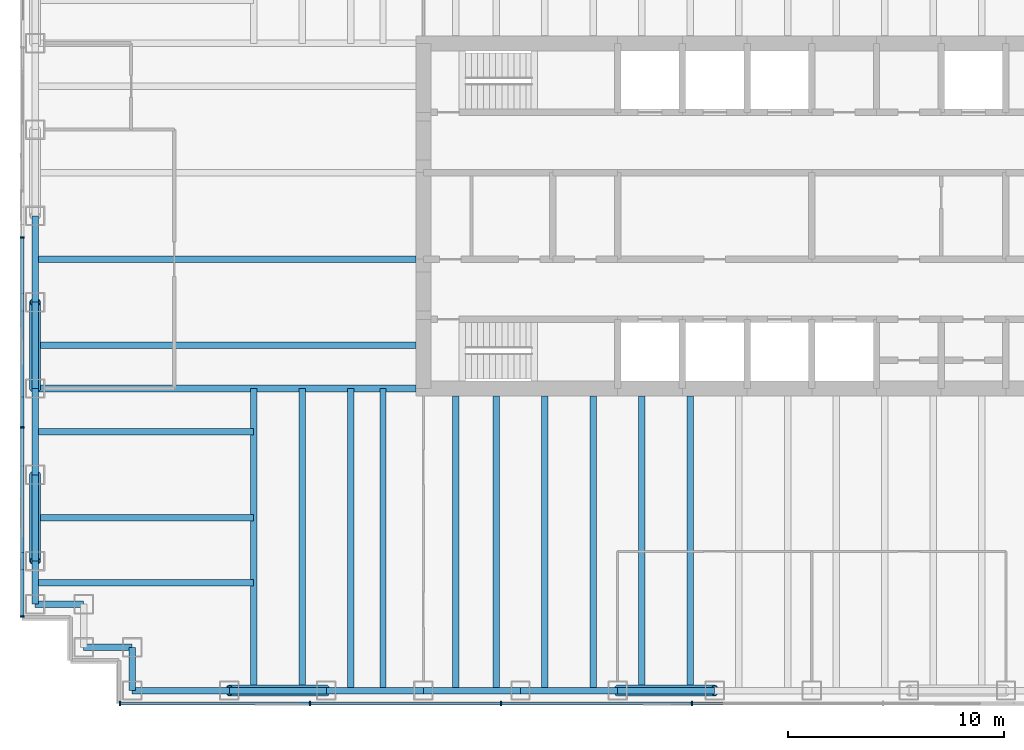
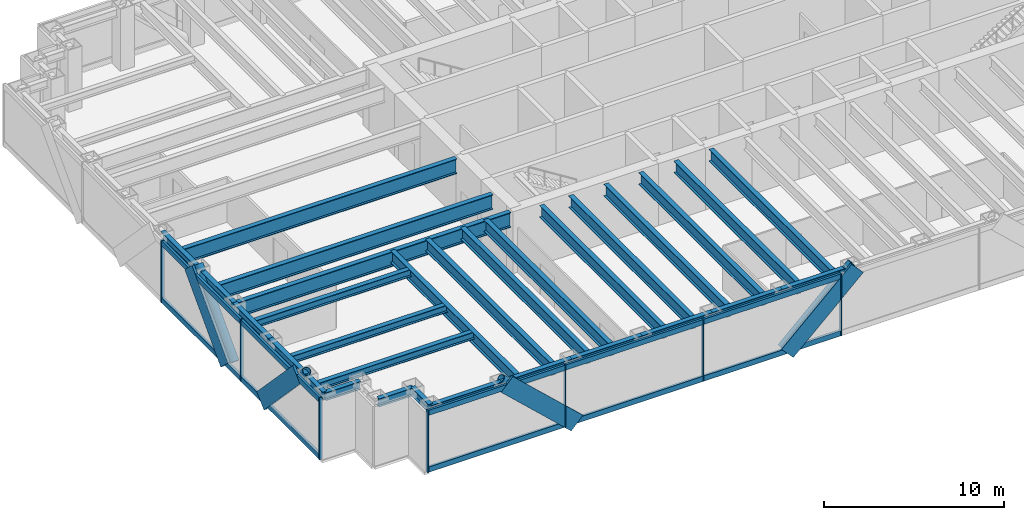
# One storey, part 2 of 15: 30 beams, 25 members, 2 elements without a shape of their own.
"""IFC4 building model written with IfcOpenShell, lengths in metres."""

from ifc_helpers import new_model, si_unit, direction, frame, origin, origin_2d, place, context, subcontext, project, spatial, rectangle, hollow_circle, i_section, extrude, material, material_profile, profile_set, type_object, element, aggregate, save


model = new_model("IFC4")

# Units and contexts
model_context = context("Model", 3, precision=1e-05, world=origin(), true_north=direction((0.0, 1.0)))
body_context = subcontext(model_context, "Body", "Model", "MODEL_VIEW")
ifc_project = project(units=[si_unit("LENGTHUNIT", "METRE"), si_unit("AREAUNIT", "SQUARE_METRE"), si_unit("VOLUMEUNIT", "CUBIC_METRE"), si_unit("PLANEANGLEUNIT", "RADIAN"), si_unit("MASSUNIT", "GRAM", prefix="KILO")], contexts=[model_context])

# Site, building, storey
site_placement = place(None, origin())
site = spatial("IfcSite", under=ifc_project, at=site_placement, CompositionType="ELEMENT")
building_placement = place(site_placement, origin())
building = spatial("IfcBuilding", under=site, at=building_placement, Name="Rheinbord Bourse Tower", CompositionType="ELEMENT")
storey_placement = place(building_placement, frame((0.0, 0.0, 325.699951171875)))
storey = spatial("IfcBuildingStorey", under=building, at=storey_placement, Name="L74", CompositionType="ELEMENT", Elevation=325.699951171875)

# Curtain wall, members
ifc_material_1 = material(Name="Dark glass and black aluminium", Category="aluminium")
curtain_wall_type = type_object("IfcCurtainWallType", Name="CW3 DARK GLASS CURTAIN WALL", PredefinedType="USERDEFINED", material=ifc_material_1)
curtain_wall_1_placement = place(storey_placement, origin())
curtain_wall_1 = element("IfcCurtainWall", 1, at=curtain_wall_1_placement, inside=storey, type_object=curtain_wall_type, Name="Curtain wall CW3 S L74", ObjectType="UNITISED CURTAIN WALL", PredefinedType="USERDEFINED")
ifc_material_2 = material(Name="Black anodised aluminium", Category="aluminium")
ifc_material_profile_1 = material_profile(ifc_material_2, rectangle(XDim=0.14990234375, YDim=1.10791015625, at=origin_2d()), Name="CW3 DIAGONAL MULLION 1108x150")
ifc_profile_set_1 = profile_set([ifc_material_profile_1], Name="Black anodised aluminium")
member_type_1 = type_object("IfcMemberType", Name="CW3 BLACK DIAGONAL MULLION", PredefinedType="USERDEFINED", material=ifc_profile_set_1)
member_1_placement = place(storey_placement, frame((27.0, 1.39990234375, 0.0), z_axis=(0.73105922506, 0.0, 0.682314010889), x_axis=(0.0, 1.0, 0.0)))
member_1 = element("IfcMember", 2, at=member_1_placement, type_object=member_type_1, Name="CW3 diagonal mullion b", ObjectType="DIAGONAL MULLION", PredefinedType="USERDEFINED", context=body_context, shape_type="SweptSolid", body=[
    extrude(rectangle(XDim=0.14990234375, YDim=1.10791015625, at=origin_2d()), origin(), (0.0, 0.0, 1.0), 6.155517578125),
])
member_2_placement = place(storey_placement, frame((13.5, 1.39990234375, 0.0), z_axis=(-0.73105922506, 0.0, 0.682314010889), x_axis=(0.0, -1.0, 0.0)))
member_2 = element("IfcMember", 3, at=member_2_placement, type_object=member_type_1, Name="CW3 diagonal mullion c", ObjectType="DIAGONAL MULLION", PredefinedType="USERDEFINED", context=body_context, shape_type="SweptSolid", body=[
    extrude(rectangle(XDim=0.14990234375, YDim=1.10791015625, at=origin_2d()), origin(), (0.0, 0.0, 1.0), 6.155517578125),
])

curtain_wall_2_placement = place(storey_placement, origin())
curtain_wall_2 = element("IfcCurtainWall", 4, at=curtain_wall_2_placement, inside=storey, type_object=curtain_wall_type, Name="Curtain wall CW3 W L74", ObjectType="UNITISED CURTAIN WALL", PredefinedType="USERDEFINED")
member_3_placement = place(storey_placement, frame((-0.60009765625, 16.0, 0.0), z_axis=(0.0, 0.689659376744, 0.724133926887), x_axis=(-1.0, 0.0, 0.0)))
member_3 = element("IfcMember", 5, at=member_3_placement, type_object=member_type_1, Name="CW3 diagonal mullion a", ObjectType="DIAGONAL MULLION", PredefinedType="USERDEFINED", context=body_context, shape_type="SweptSolid", body=[
    extrude(rectangle(XDim=0.14990234375, YDim=1.10791015625, at=origin_2d()), origin(), (0.0, 0.0, 1.0), 5.800048828125),
])
member_4_placement = place(storey_placement, frame((-0.60009765625, 12.0, 0.0), z_axis=(0.0, -0.689659376744, 0.724133926887), x_axis=(1.0, 0.0, 0.0)))
member_4 = element("IfcMember", 6, at=member_4_placement, type_object=member_type_1, Name="CW3 diagonal mullion d", ObjectType="DIAGONAL MULLION", PredefinedType="USERDEFINED", context=body_context, shape_type="SweptSolid", body=[
    extrude(rectangle(XDim=0.14990234375, YDim=1.10791015625, at=origin_2d()), origin(), (0.0, 0.0, 1.0), 5.800048828125),
])

# Member
ifc_material_3 = material(Name="Black anodised aluminium", Category="aluminium")
ifc_material_profile_2 = material_profile(ifc_material_3, rectangle(XDim=0.199951171875, YDim=0.06494140625, at=origin_2d()), Name="CW3 MULLION 65x200")
ifc_profile_set_2 = profile_set([ifc_material_profile_2], Name="Black anodised aluminium")
member_type_2 = type_object("IfcMemberType", Name="CW3 BLACK MULLION", PredefinedType="MULLION", material=ifc_profile_set_2)
member_5_placement = place(storey_placement, frame((3.9326171875, 1.39990234375, 0.0), z_axis=(0.0, 0.0, 1.0), x_axis=(0.0, 1.0, 0.0)))
member_5 = element("IfcMember", 7, at=member_5_placement, type_object=member_type_2, Name="CW3 mullion 1", PredefinedType="MULLION", context=body_context, shape_type="SweptSolid", body=[
    extrude(rectangle(XDim=0.199951171875, YDim=0.06494140625, at=origin_2d()), origin(), (0.0, 0.0, 1.0), 4.199951171875),
])

member_6_placement = place(storey_placement, frame((12.75, 1.39990234375, 0.0), z_axis=(0.0, 0.0, 1.0), x_axis=(0.0, 1.0, 0.0)))
member_6 = element("IfcMember", 8, at=member_6_placement, type_object=member_type_2, Name="CW3 mullion 2", PredefinedType="MULLION", context=body_context, shape_type="SweptSolid", body=[
    extrude(rectangle(XDim=0.199951171875, YDim=0.06494140625, at=origin_2d()), origin(), (0.0, 0.0, 1.0), 4.199951171875),
])

member_7_placement = place(storey_placement, frame((21.60009765625, 1.39990234375, 0.0), z_axis=(0.0, 0.0, 1.0), x_axis=(0.0, 1.0, 0.0)))
member_7 = element("IfcMember", 9, at=member_7_placement, type_object=member_type_2, Name="CW3 mullion 3", PredefinedType="MULLION", context=body_context, shape_type="SweptSolid", body=[
    extrude(rectangle(XDim=0.199951171875, YDim=0.06494140625, at=origin_2d()), origin(), (0.0, 0.0, 1.0), 4.199951171875),
])

member_8_placement = place(storey_placement, frame((30.449951171875, 1.39990234375, 0.0), z_axis=(0.0, 0.0, 1.0), x_axis=(0.0, 1.0, 0.0)))
member_8 = element("IfcMember", 10, at=member_8_placement, type_object=member_type_2, Name="CW3 mullion 4", PredefinedType="MULLION", context=body_context, shape_type="SweptSolid", body=[
    extrude(rectangle(XDim=0.199951171875, YDim=0.06494140625, at=origin_2d()), origin(), (0.0, 0.0, 1.0), 4.199951171875),
])

member_9_placement = place(storey_placement, frame((-0.60009765625, 23.0, 0.0), z_axis=(0.0, 0.0, 1.0), x_axis=(1.0, 0.0, 0.0)))
member_9 = element("IfcMember", 11, at=member_9_placement, type_object=member_type_2, Name="CW3 mullion 3", PredefinedType="MULLION", context=body_context, shape_type="SweptSolid", body=[
    extrude(rectangle(XDim=0.199951171875, YDim=0.06494140625, at=origin_2d()), origin(), (0.0, 0.0, 1.0), 4.199951171875),
])

member_10_placement = place(storey_placement, frame((-0.60009765625, 14.199951171875, 0.0), z_axis=(0.0, 0.0, 1.0), x_axis=(1.0, 0.0, 0.0)))
member_10 = element("IfcMember", 12, at=member_10_placement, type_object=member_type_2, Name="CW3 mullion 4", PredefinedType="MULLION", context=body_context, shape_type="SweptSolid", body=[
    extrude(rectangle(XDim=0.199951171875, YDim=0.06494140625, at=origin_2d()), origin(), (0.0, 0.0, 1.0), 4.199951171875),
])

member_11_placement = place(storey_placement, frame((-0.60009765625, 5.4326171875, 0.0), z_axis=(0.0, 0.0, 1.0), x_axis=(1.0, 0.0, 0.0)))
member_11 = element("IfcMember", 13, at=member_11_placement, type_object=member_type_2, Name="CW3 mullion 5", PredefinedType="MULLION", context=body_context, shape_type="SweptSolid", body=[
    extrude(rectangle(XDim=0.199951171875, YDim=0.06494140625, at=origin_2d()), origin(), (0.0, 0.0, 1.0), 4.199951171875),
])

ifc_material_4 = material(Name="Black anodised aluminium", Category="aluminium")
ifc_material_profile_3 = material_profile(ifc_material_4, rectangle(XDim=0.14990234375, YDim=0.35009765625, at=origin_2d()), Name="CW3 TRANSOM 350x150")
ifc_profile_set_3 = profile_set([ifc_material_profile_3], Name="Black anodised aluminium")
member_type_3 = type_object("IfcMemberType", Name="CW3 BLACK TRANSOM", PredefinedType="USERDEFINED", material=ifc_profile_set_3)
member_12_placement = place(storey_placement, frame((3.965087890625, 1.39990234375, 0.175048828125), z_axis=(1.0, 0.0, 0.0), x_axis=(0.0, 1.0, 0.0)))
member_12 = element("IfcMember", 14, at=member_12_placement, type_object=member_type_3, Name="CW3 transom 1.1", ObjectType="TRANSOM", PredefinedType="USERDEFINED", context=body_context, shape_type="SweptSolid", body=[
    extrude(rectangle(XDim=0.14990234375, YDim=0.35009765625, at=origin_2d()), origin(), (0.0, 0.0, 1.0), 8.75244140625),
])

member_13_placement = place(storey_placement, frame((3.965087890625, 1.39990234375, 4.025146484375), z_axis=(1.0, 0.0, 0.0), x_axis=(0.0, 1.0, 0.0)))
member_13 = element("IfcMember", 15, at=member_13_placement, type_object=member_type_3, Name="CW3 transom 1.2", ObjectType="TRANSOM", PredefinedType="USERDEFINED", context=body_context, shape_type="SweptSolid", body=[
    extrude(rectangle(XDim=0.14990234375, YDim=0.35009765625, at=origin_2d()), origin(), (0.0, 0.0, 1.0), 8.75244140625),
])

member_14_placement = place(storey_placement, frame((12.782470703125, 1.39990234375, 0.175048828125), z_axis=(1.0, 0.0, 0.0), x_axis=(0.0, 1.0, 0.0)))
member_14 = element("IfcMember", 16, at=member_14_placement, type_object=member_type_3, Name="CW3 transom 2.1", ObjectType="TRANSOM", PredefinedType="USERDEFINED", context=body_context, shape_type="SweptSolid", body=[
    extrude(rectangle(XDim=0.14990234375, YDim=0.35009765625, at=origin_2d()), origin(), (0.0, 0.0, 1.0), 8.784912109375),
])

member_15_placement = place(storey_placement, frame((12.782470703125, 1.39990234375, 4.025146484375), z_axis=(1.0, 0.0, 0.0), x_axis=(0.0, 1.0, 0.0)))
member_15 = element("IfcMember", 17, at=member_15_placement, type_object=member_type_3, Name="CW3 transom 2.2", ObjectType="TRANSOM", PredefinedType="USERDEFINED", context=body_context, shape_type="SweptSolid", body=[
    extrude(rectangle(XDim=0.14990234375, YDim=0.35009765625, at=origin_2d()), origin(), (0.0, 0.0, 1.0), 8.784912109375),
])

member_16_placement = place(storey_placement, frame((21.632568359375, 1.39990234375, 0.175048828125), z_axis=(1.0, 0.0, 0.0), x_axis=(0.0, 1.0, 0.0)))
member_16 = element("IfcMember", 18, at=member_16_placement, type_object=member_type_3, Name="CW3 transom 3.1", ObjectType="TRANSOM", PredefinedType="USERDEFINED", context=body_context, shape_type="SweptSolid", body=[
    extrude(rectangle(XDim=0.14990234375, YDim=0.35009765625, at=origin_2d()), origin(), (0.0, 0.0, 1.0), 8.784912109375),
])

member_17_placement = place(storey_placement, frame((21.632568359375, 1.39990234375, 4.025146484375), z_axis=(1.0, 0.0, 0.0), x_axis=(0.0, 1.0, 0.0)))
member_17 = element("IfcMember", 19, at=member_17_placement, type_object=member_type_3, Name="CW3 transom 3.2", ObjectType="TRANSOM", PredefinedType="USERDEFINED", context=body_context, shape_type="SweptSolid", body=[
    extrude(rectangle(XDim=0.14990234375, YDim=0.35009765625, at=origin_2d()), origin(), (0.0, 0.0, 1.0), 8.784912109375),
])

aggregate(curtain_wall_1, [member_5, member_6, member_7, member_8, member_12, member_13, member_14, member_15, member_16, member_17, member_1, member_2])

member_18_placement = place(storey_placement, frame((-0.60009765625, 22.967529296875, 0.175048828125), z_axis=(0.0, -1.0, 0.0), x_axis=(1.0, 0.0, 0.0)))
member_18 = element("IfcMember", 20, at=member_18_placement, type_object=member_type_3, Name="CW3 transom 3.1", ObjectType="TRANSOM", PredefinedType="USERDEFINED", context=body_context, shape_type="SweptSolid", body=[
    extrude(rectangle(XDim=0.14990234375, YDim=0.35009765625, at=origin_2d()), origin(), (0.0, 0.0, 1.0), 8.735107421875),
])

member_19_placement = place(storey_placement, frame((-0.60009765625, 22.967529296875, 4.025146484375), z_axis=(0.0, -1.0, 0.0), x_axis=(1.0, 0.0, 0.0)))
member_19 = element("IfcMember", 21, at=member_19_placement, type_object=member_type_3, Name="CW3 transom 3.2", ObjectType="TRANSOM", PredefinedType="USERDEFINED", context=body_context, shape_type="SweptSolid", body=[
    extrude(rectangle(XDim=0.14990234375, YDim=0.35009765625, at=origin_2d()), origin(), (0.0, 0.0, 1.0), 8.735107421875),
])

member_20_placement = place(storey_placement, frame((-0.60009765625, 14.16748046875, 0.175048828125), z_axis=(0.0, -1.0, 0.0), x_axis=(1.0, 0.0, 0.0)))
member_20 = element("IfcMember", 22, at=member_20_placement, type_object=member_type_3, Name="CW3 transom 4.1", ObjectType="TRANSOM", PredefinedType="USERDEFINED", context=body_context, shape_type="SweptSolid", body=[
    extrude(rectangle(XDim=0.14990234375, YDim=0.35009765625, at=origin_2d()), origin(), (0.0, 0.0, 1.0), 8.702392578125),
])

member_21_placement = place(storey_placement, frame((-0.60009765625, 14.16748046875, 4.025146484375), z_axis=(0.0, -1.0, 0.0), x_axis=(1.0, 0.0, 0.0)))
member_21 = element("IfcMember", 23, at=member_21_placement, type_object=member_type_3, Name="CW3 transom 4.2", ObjectType="TRANSOM", PredefinedType="USERDEFINED", context=body_context, shape_type="SweptSolid", body=[
    extrude(rectangle(XDim=0.14990234375, YDim=0.35009765625, at=origin_2d()), origin(), (0.0, 0.0, 1.0), 8.702392578125),
])

aggregate(curtain_wall_2, [member_9, member_10, member_11, member_18, member_19, member_20, member_21, member_3, member_4])

# Beams
ifc_material_5 = material(Name="Steel S460", Category="steel")
ifc_material_profile_4 = material_profile(ifc_material_5, i_section(OverallWidth=0.302001953125, OverallDepth=1.008056640625, WebThickness=0.02099609375, FlangeThickness=0.0400390625, at=origin_2d()), Name="HEM 1000")
ifc_profile_set_4 = profile_set([ifc_material_profile_4], Name="Steel S460")
beam_type_1 = type_object("IfcBeamType", Name="END BEAM HEM 1000", PredefinedType="BEAM", material=ifc_profile_set_4)
for number, where, z_axis, x_axis, name in (
    (24, (0.0, 18.0, 3.5361328125), (1.0, 0.0, 0.0), (0.0, 1.0, 0.0), "End beam west 18 L75"),
    (25, (0.0, 22.0, 3.5361328125), (1.0, 0.0, 0.0), (0.0, 1.0, 0.0), "End beam west 22 L75"),
):
    element("IfcBeam", number, at=place(storey_placement, frame(where, z_axis=z_axis, x_axis=x_axis)), inside=storey, type_object=beam_type_1, Name=name, PredefinedType="BEAM", context=body_context, shape_type="SweptSolid", body=[
        extrude(i_section(OverallWidth=0.302001953125, OverallDepth=1.008056640625, WebThickness=0.02099609375, FlangeThickness=0.0400390625, at=origin_2d()), origin(), (0.0, 0.0, 1.0), 17.64990234375),
    ])
ifc_material_6 = material(Name="Steel S460", Category="steel")
ifc_material_profile_5 = material_profile(ifc_material_6, i_section(OverallWidth=0.300048828125, OverallDepth=0.800048828125, WebThickness=0.017578125, FlangeThickness=0.032958984375, at=origin_2d()), Name="HEB 800")
ifc_profile_set_5 = profile_set([ifc_material_profile_5], Name="Steel S460")
beam_type_2 = type_object("IfcBeamType", Name="FLOOR BEAM HEB 800", PredefinedType="BEAM", material=ifc_profile_set_5)
for number, where, z_axis, x_axis, name in (
    (26, (10.125, 2.0, 3.64013671875), (0.0, 1.0, 0.0), (-1.0, 0.0, 0.0), "Floor beam S-9a L75"),
    (27, (12.375, 2.0, 3.64013671875), (0.0, 1.0, 0.0), (-1.0, 0.0, 0.0), "Floor beam S-9b L75"),
    (28, (14.625, 2.0, 3.64013671875), (0.0, 1.0, 0.0), (-1.0, 0.0, 0.0), "Floor beam S-13.5a L75"),
    (29, (16.125, 2.0, 3.64013671875), (0.0, 1.0, 0.0), (-1.0, 0.0, 0.0), "Floor beam S-13.5b L75"),
):
    element("IfcBeam", number, at=place(storey_placement, frame(where, z_axis=z_axis, x_axis=x_axis)), inside=storey, type_object=beam_type_2, Name=name, PredefinedType="BEAM", context=body_context, shape_type="SweptSolid", body=[
        extrude(i_section(OverallWidth=0.300048828125, OverallDepth=0.800048828125, WebThickness=0.017578125, FlangeThickness=0.032958984375, at=origin_2d()), origin(), (0.0, 0.0, 1.0), 14.0),
    ])
for number, where, z_axis, x_axis, name in (
    (30, (19.5, 2.0, 3.64013671875), (0.0, 1.0, 0.0), (-1.0, 0.0, 0.0), "Floor beam S-18a L75"),
    (31, (21.375, 2.0, 3.64013671875), (0.0, 1.0, 0.0), (-1.0, 0.0, 0.0), "Floor beam S-18b L75"),
    (32, (23.625, 2.0, 3.64013671875), (0.0, 1.0, 0.0), (-1.0, 0.0, 0.0), "Floor beam S-22.5a L75"),
    (33, (25.875, 2.0, 3.64013671875), (0.0, 1.0, 0.0), (-1.0, 0.0, 0.0), "Floor beam S-22.5b L75"),
    (34, (28.125, 2.0, 3.64013671875), (0.0, 1.0, 0.0), (-1.0, 0.0, 0.0), "Floor beam S-27a L75"),
    (35, (30.375, 2.0, 3.64013671875), (0.0, 1.0, 0.0), (-1.0, 0.0, 0.0), "Floor beam S-27b L75"),
):
    element("IfcBeam", number, at=place(storey_placement, frame(where, z_axis=z_axis, x_axis=x_axis)), inside=storey, type_object=beam_type_2, Name=name, PredefinedType="BEAM", context=body_context, shape_type="SweptSolid", body=[
        extrude(i_section(OverallWidth=0.300048828125, OverallDepth=0.800048828125, WebThickness=0.017578125, FlangeThickness=0.032958984375, at=origin_2d()), origin(), (0.0, 0.0, 1.0), 13.64990234375),
    ])
ifc_material_7 = material(Name="Steel S460", Category="steel")
ifc_material_profile_6 = material_profile(ifc_material_7, i_section(OverallWidth=0.302001953125, OverallDepth=1.008056640625, WebThickness=0.02099609375, FlangeThickness=0.0400390625, at=origin_2d()), Name="HEM 1000")
ifc_profile_set_6 = profile_set([ifc_material_profile_6], Name="Steel S460")
beam_type_3 = type_object("IfcBeamType", Name="GIRDER HEM 1000", PredefinedType="BEAM", material=ifc_profile_set_6)
beam_1_placement = place(storey_placement, frame((0.0, 16.0, 3.5361328125), z_axis=(1.0, 0.0, 0.0), x_axis=(0.0, 1.0, 0.0)))
element("IfcBeam", 36, at=beam_1_placement, inside=storey, type_object=beam_type_3, Name="Girder west 16 L75", PredefinedType="BEAM", context=body_context, shape_type="SweptSolid", body=[
    extrude(i_section(OverallWidth=0.302001953125, OverallDepth=1.008056640625, WebThickness=0.02099609375, FlangeThickness=0.0400390625, at=origin_2d()), origin(), (0.0, 0.0, 1.0), 17.64990234375),
])

# Members
ifc_material_8 = material(Name="Steel S460", Category="steel")
ifc_material_profile_7 = material_profile(ifc_material_8, hollow_circle(Radius=0.25390625, WallThickness=0.030029296875, at=origin_2d()), Name="CHS 508x30")
ifc_profile_set_7 = profile_set([ifc_material_profile_7], Name="Steel S460")
member_type_4 = type_object("IfcMemberType", Name="MEGABRACE CHS 508x30", PredefinedType="BRACE", material=ifc_profile_set_7)
for number, where, z_axis, x_axis, name in (
    (37, (27.0, 2.0, 0.0), (0.73105922506, 0.0, 0.682314010889), (0.0, 1.0, 0.0), "Megabrace S face line b L74"),
    (38, (13.5, 2.0, 0.0), (-0.73105922506, 0.0, 0.682314010889), (0.0, -1.0, 0.0), "Megabrace S face line c L74"),
):
    element("IfcMember", number, at=place(storey_placement, frame(where, z_axis=z_axis, x_axis=x_axis)), inside=storey, type_object=member_type_4, Name=name, PredefinedType="BRACE", context=body_context, shape_type="SweptSolid", body=[
        extrude(hollow_circle(Radius=0.25390625, WallThickness=0.030029296875, at=origin_2d()), origin(), (0.0, 0.0, 1.0), 6.155517578125),
    ])
for number, where, z_axis, x_axis, name in (
    (39, (0.0, 16.0, 0.0), (0.0, 0.689659376744, 0.724133926887), (-1.0, 0.0, 0.0), "Megabrace W face line a L74"),
    (40, (0.0, 12.0, 0.0), (0.0, -0.689659376744, 0.724133926887), (1.0, 0.0, 0.0), "Megabrace W face line d L74"),
):
    element("IfcMember", number, at=place(storey_placement, frame(where, z_axis=z_axis, x_axis=x_axis)), inside=storey, type_object=member_type_4, Name=name, PredefinedType="BRACE", context=body_context, shape_type="SweptSolid", body=[
        extrude(hollow_circle(Radius=0.25390625, WallThickness=0.030029296875, at=origin_2d()), origin(), (0.0, 0.0, 1.0), 5.800048828125),
    ])

# Beams
ifc_material_9 = material(Name="Steel S460", Category="steel")
ifc_material_profile_8 = material_profile(ifc_material_9, i_section(OverallWidth=0.300048828125, OverallDepth=0.550048828125, WebThickness=0.014892578125, FlangeThickness=0.029052734375, at=origin_2d()), Name="HEB 550")
ifc_profile_set_8 = profile_set([ifc_material_profile_8], Name="Steel S460")
beam_type_4 = type_object("IfcBeamType", Name="SPANDREL HEB 550", PredefinedType="SPANDREL", material=ifc_profile_set_8)
for number, where, z_axis, x_axis, name in (
    (41, (4.5, 2.0, 3.76513671875), (1.0, 0.0, 0.0), (0.0, 1.0, 0.0), "Spandrel SW-E-S-9 under L75"),
    (42, (9.0, 2.0, 3.76513671875), (1.0, 0.0, 0.0), (0.0, 1.0, 0.0), "Spandrel S-9-S-13.5 under L75"),
    (43, (13.5, 2.0, 3.76513671875), (1.0, 0.0, 0.0), (0.0, 1.0, 0.0), "Spandrel S-13.5-S-18 under L75"),
    (44, (18.0, 2.0, 3.76513671875), (1.0, 0.0, 0.0), (0.0, 1.0, 0.0), "Spandrel S-18-S-22.5 under L75"),
    (45, (22.5, 2.0, 3.76513671875), (1.0, 0.0, 0.0), (0.0, 1.0, 0.0), "Spandrel S-22.5-S-27 under L75"),
    (46, (27.0, 2.0, 3.76513671875), (1.0, 0.0, 0.0), (0.0, 1.0, 0.0), "Spandrel S-27-S-31.5 under L75"),
):
    element("IfcBeam", number, at=place(storey_placement, frame(where, z_axis=z_axis, x_axis=x_axis)), inside=storey, type_object=beam_type_4, Name=name, PredefinedType="SPANDREL", context=body_context, shape_type="SweptSolid", body=[
        extrude(i_section(OverallWidth=0.300048828125, OverallDepth=0.550048828125, WebThickness=0.014892578125, FlangeThickness=0.029052734375, at=origin_2d()), origin(), (0.0, 0.0, 1.0), 4.5),
    ])
for number, where, z_axis, x_axis, name in (
    (47, (0.0, 24.0, 3.76513671875), (0.0, -1.0, 0.0), (1.0, 0.0, 0.0), "Spandrel W-24-W-20 under L75"),
    (48, (0.0, 20.0, 3.76513671875), (0.0, -1.0, 0.0), (1.0, 0.0, 0.0), "Spandrel W-20-W-16 under L75"),
    (49, (0.0, 16.0, 3.76513671875), (0.0, -1.0, 0.0), (1.0, 0.0, 0.0), "Spandrel W-16-W-12 under L75"),
    (50, (0.0, 12.0, 3.76513671875), (0.0, -1.0, 0.0), (1.0, 0.0, 0.0), "Spandrel W-12-W-8 under L75"),
):
    element("IfcBeam", number, at=place(storey_placement, frame(where, z_axis=z_axis, x_axis=x_axis)), inside=storey, type_object=beam_type_4, Name=name, PredefinedType="SPANDREL", context=body_context, shape_type="SweptSolid", body=[
        extrude(i_section(OverallWidth=0.300048828125, OverallDepth=0.550048828125, WebThickness=0.014892578125, FlangeThickness=0.029052734375, at=origin_2d()), origin(), (0.0, 0.0, 1.0), 4.0),
    ])
beam_2_placement = place(storey_placement, frame((0.0, 8.0, 3.76513671875), z_axis=(0.0, -1.0, 0.0), x_axis=(1.0, 0.0, 0.0)))
element("IfcBeam", 51, at=beam_2_placement, inside=storey, type_object=beam_type_4, Name="Spandrel W-8-SW-A under L75", PredefinedType="SPANDREL", context=body_context, shape_type="SweptSolid", body=[
    extrude(i_section(OverallWidth=0.300048828125, OverallDepth=0.550048828125, WebThickness=0.014892578125, FlangeThickness=0.029052734375, at=origin_2d()), origin(), (0.0, 0.0, 1.0), 2.0),
])
for number, where, z_axis, x_axis, name in (
    (52, (0.0, 6.0, 3.76513671875), (1.0, 0.0, 0.0), (0.0, 1.0, 0.0), "Spandrel SW-A-SW-B under L75"),
    (53, (2.25, 4.0, 3.76513671875), (1.0, 0.0, 0.0), (0.0, 1.0, 0.0), "Spandrel SW-C-SW-D under L75"),
):
    element("IfcBeam", number, at=place(storey_placement, frame(where, z_axis=z_axis, x_axis=x_axis)), inside=storey, type_object=beam_type_4, Name=name, PredefinedType="SPANDREL", context=body_context, shape_type="SweptSolid", body=[
        extrude(i_section(OverallWidth=0.300048828125, OverallDepth=0.550048828125, WebThickness=0.014892578125, FlangeThickness=0.029052734375, at=origin_2d()), origin(), (0.0, 0.0, 1.0), 2.25),
    ])
beam_3_placement = place(storey_placement, frame((4.5, 4.0, 3.76513671875), z_axis=(0.0, -1.0, 0.0), x_axis=(1.0, 0.0, 0.0)))
element("IfcBeam", 54, at=beam_3_placement, inside=storey, type_object=beam_type_4, Name="Spandrel SW-D-SW-E under L75", PredefinedType="SPANDREL", context=body_context, shape_type="SweptSolid", body=[
    extrude(i_section(OverallWidth=0.300048828125, OverallDepth=0.550048828125, WebThickness=0.014892578125, FlangeThickness=0.029052734375, at=origin_2d()), origin(), (0.0, 0.0, 1.0), 2.0),
])
ifc_material_10 = material(Name="Steel S460", Category="steel")
ifc_material_profile_9 = material_profile(ifc_material_10, i_section(OverallWidth=0.300048828125, OverallDepth=0.5, WebThickness=0.014404296875, FlangeThickness=0.028076171875, at=origin_2d()), Name="HEB 500")
ifc_profile_set_9 = profile_set([ifc_material_profile_9], Name="Steel S460")
beam_type_5 = type_object("IfcBeamType", Name="TIE BEAM HEB 500", PredefinedType="JOIST", material=ifc_profile_set_9)
for number, where, z_axis, x_axis, name in (
    (55, (0.0, 7.0, 3.7900390625), (1.0, 0.0, 0.0), (0.0, 1.0, 0.0), "Tie west 7 L75"),
    (56, (0.0, 10.0, 3.7900390625), (1.0, 0.0, 0.0), (0.0, 1.0, 0.0), "Tie west 10 L75"),
    (57, (0.0, 14.0, 3.7900390625), (1.0, 0.0, 0.0), (0.0, 1.0, 0.0), "Tie west 14 L75"),
):
    element("IfcBeam", number, at=place(storey_placement, frame(where, z_axis=z_axis, x_axis=x_axis)), inside=storey, type_object=beam_type_5, Name=name, PredefinedType="JOIST", context=body_context, shape_type="SweptSolid", body=[
        extrude(i_section(OverallWidth=0.300048828125, OverallDepth=0.5, WebThickness=0.014404296875, FlangeThickness=0.028076171875, at=origin_2d()), origin(), (0.0, 0.0, 1.0), 10.125),
    ])

save(model, "model.ifc")
